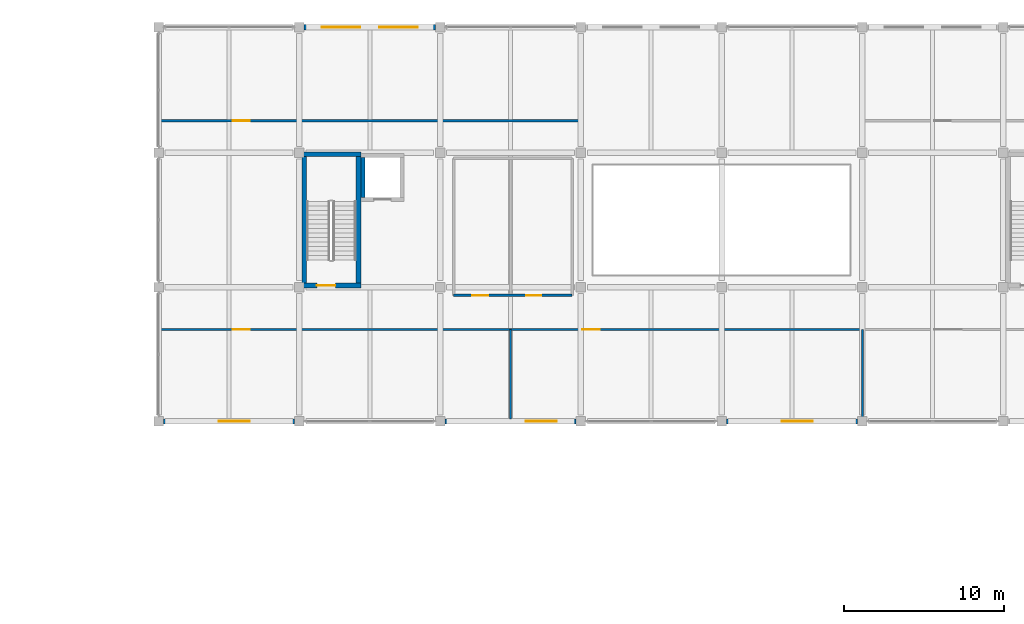
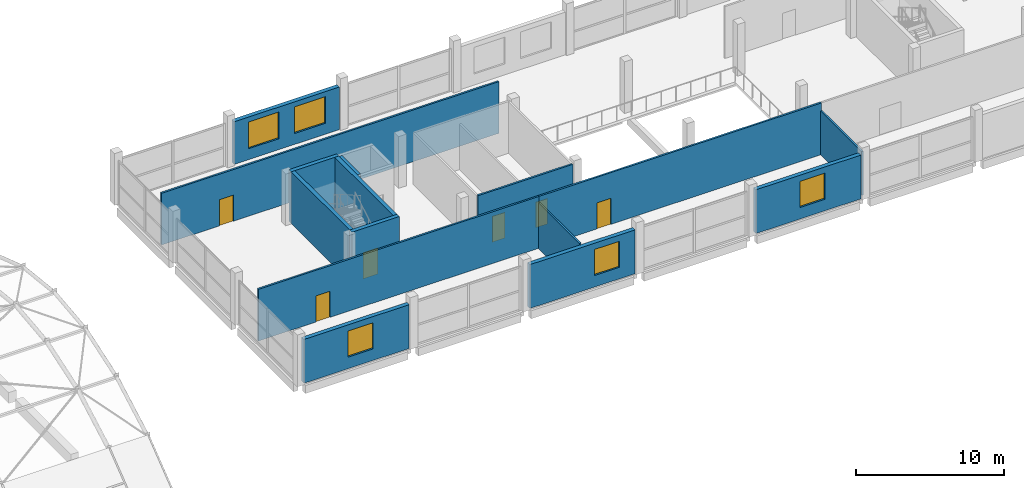
# One storey, part 29 of 38: 15 walls, 6 doors, 5 windows, 11 openings.
"""IFC4 building model written with IfcOpenShell, lengths in metres."""

from ifc_helpers import new_model, si_unit, direction, frame, frame_2d, origin, place, context, subcontext, project, spatial, rectangle, extrude, material, layer, layer_set, type_object, element, fill, save


model = new_model("IFC4")

# Units and contexts
model_context = context("Model", 3, precision=1e-05, world=origin(), true_north=direction((0.0, 1.0)))
body_context = subcontext(model_context, "Body", "Model", "MODEL_VIEW")
ifc_project = project(units=[si_unit("LENGTHUNIT", "METRE"), si_unit("AREAUNIT", "SQUARE_METRE"), si_unit("VOLUMEUNIT", "CUBIC_METRE"), si_unit("PLANEANGLEUNIT", "RADIAN"), si_unit("MASSUNIT", "GRAM", prefix="KILO")], contexts=[model_context])

# Site, building, storey
site_placement = place(None, origin())
site = spatial("IfcSite", under=ifc_project, at=site_placement, CompositionType="ELEMENT")
building_placement = place(site_placement, origin())
building = spatial("IfcBuilding", under=site, at=building_placement, Name="Brinegate Botanical Conservatory", CompositionType="ELEMENT")
storey_placement = place(building_placement, frame((0.0, 0.0, 10.199951171875)))
storey = spatial("IfcBuildingStorey", under=building, at=storey_placement, Name="L03", CompositionType="ELEMENT", Elevation=10.199951171875)

# Wall, opening, window
ifc_material_1 = material(Name="Insulated Minnan red clay brick masonry", Category="masonry")
ifc_layer_1 = layer(ifc_material_1, 0.320068359375, Name="Insulated Minnan red clay brick masonry", Category="masonry")
ifc_layer_set_1 = layer_set([ifc_layer_1], Name="Insulated Minnan red clay brick masonry")
wall_type_1 = type_object("IfcWallType", Name="Wall_EW-320B", PredefinedType="STANDARD", material=ifc_layer_set_1)
wall_1_placement = place(storey_placement, frame((59.300048828125, 86.800048828125, 0.0), z_axis=(0.0, 0.0, 1.0), x_axis=(-1.0, 0.0, 0.0)))
wall_1 = element("IfcWall", 1, at=wall_1_placement, inside=storey, type_object=wall_type_1, Name="Visitor south brick wall L03.1", PredefinedType="STANDARD", context=body_context, shape_type="SweptSolid", body=[
    extrude(rectangle(XDim=8.199951171875, YDim=0.320068359375, at=frame_2d((4.10009765625, 0.0))), origin(), (0.0, 0.0, 1.0), 3.610107421875),
])
opening_1_placement = place(wall_1_placement, frame((2.800048828125, 0.0, 0.949951171875)))
opening_1 = element("IfcOpeningElement", 2, at=opening_1_placement, cuts=wall_1, Name="Opening WN-29", PredefinedType="OPENING", context=body_context, shape_type="SweptSolid", body=[
    extrude(rectangle(XDim=1.949951171875, YDim=2.14990234375, at=frame_2d((0.97509765625, 1.074951171875))), frame((0.0, 0.169921875, 0.0), z_axis=(0.0, -1.0, 0.0), x_axis=(1.0, 0.0, 0.0)), (0.0, 0.0, 1.0), 0.340087890625),
])
ifc_material_2 = material(Name="Thermally broken aluminium-framed Low-E glass", Category="aluminium")
window_type_1 = type_object("IfcWindowType", Name="Win_WN-29", PartitioningType="DOUBLE_PANEL_VERTICAL", PredefinedType="WINDOW", material=ifc_material_2)
window_1_placement = place(opening_1_placement, origin())
window_1 = element("IfcWindow", 3, at=window_1_placement, inside=storey, type_object=window_type_1, Name="Visitor south court window L03.1", OverallHeight=2.14990234375, OverallWidth=1.949951171875, PartitioningType="DOUBLE_PANEL_VERTICAL", PredefinedType="WINDOW", context=body_context, shape_type="SweptSolid", body=[
    extrude(rectangle(XDim=1.949951171875, YDim=2.14990234375, at=frame_2d((0.97509765625, 1.074951171875))), frame((0.0, 0.030029296875, 0.0), z_axis=(0.0, -1.0, 0.0), x_axis=(1.0, 0.0, 0.0)), (0.0, 0.0, 1.0), 0.06005859375),
])
fill(opening_1, window_1)

# Wall, openings, windows
wall_2_placement = place(storey_placement, frame((59.89990234375, 111.449951171875, 0.0), z_axis=(0.0, 0.0, 1.0), x_axis=(1.0, 0.0, 0.0)))
wall_2 = element("IfcWall", 4, at=wall_2_placement, inside=storey, type_object=wall_type_1, Name="Visitor north brick bay wall L03.2", PredefinedType="STANDARD", context=body_context, shape_type="SweptSolid", body=[
    extrude(rectangle(XDim=8.2001953125, YDim=0.320068359375, at=frame_2d((4.10009765625, 0.0))), origin(), (0.0, 0.0, 1.0), 3.510009765625),
])
opening_2_placement = place(wall_2_placement, frame((1.10009765625, 0.0, 0.89990234375)))
opening_2 = element("IfcOpeningElement", 5, at=opening_2_placement, cuts=wall_2, Name="Opening WN-09", PredefinedType="OPENING", context=body_context, shape_type="SweptSolid", body=[
    extrude(rectangle(XDim=2.39990234375, YDim=2.199951171875, at=frame_2d((1.199951171875, 1.10009765625))), frame((0.0, 0.169921875, 0.0), z_axis=(0.0, -1.0, 0.0), x_axis=(1.0, 0.0, 0.0)), (0.0, 0.0, 1.0), 0.340087890625),
])
opening_3_placement = place(wall_2_placement, frame((4.699951171875, 0.0, 0.89990234375)))
opening_3 = element("IfcOpeningElement", 6, at=opening_3_placement, cuts=wall_2, Name="Opening WN-09", PredefinedType="OPENING", context=body_context, shape_type="SweptSolid", body=[
    extrude(rectangle(XDim=2.39990234375, YDim=2.199951171875, at=frame_2d((1.199951171875, 1.10009765625))), frame((0.0, 0.169921875, 0.0), z_axis=(0.0, -1.0, 0.0), x_axis=(1.0, 0.0, 0.0)), (0.0, 0.0, 1.0), 0.340087890625),
])
window_type_2 = type_object("IfcWindowType", Name="Win_WN-09", PartitioningType="TRIPLE_PANEL_VERTICAL", PredefinedType="WINDOW", material=ifc_material_2)
window_2_placement = place(opening_2_placement, origin())
window_2 = element("IfcWindow", 7, at=window_2_placement, inside=storey, type_object=window_type_2, Name="Visitor north window L03.2A", OverallHeight=2.199951171875, OverallWidth=2.39990234375, PartitioningType="TRIPLE_PANEL_VERTICAL", PredefinedType="WINDOW", context=body_context, shape_type="SweptSolid", body=[
    extrude(rectangle(XDim=2.39990234375, YDim=2.199951171875, at=frame_2d((1.199951171875, 1.10009765625))), frame((0.0, 0.030029296875, 0.0), z_axis=(0.0, -1.0, 0.0), x_axis=(1.0, 0.0, 0.0)), (0.0, 0.0, 1.0), 0.06005859375),
])
fill(opening_2, window_2)
window_3_placement = place(opening_3_placement, origin())
window_3 = element("IfcWindow", 8, at=window_3_placement, inside=storey, type_object=window_type_2, Name="Visitor north window L03.2B", OverallHeight=2.199951171875, OverallWidth=2.39990234375, PartitioningType="TRIPLE_PANEL_VERTICAL", PredefinedType="WINDOW", context=body_context, shape_type="SweptSolid", body=[
    extrude(rectangle(XDim=2.39990234375, YDim=2.199951171875, at=frame_2d((1.199951171875, 1.10009765625))), frame((0.0, 0.030029296875, 0.0), z_axis=(0.0, -1.0, 0.0), x_axis=(1.0, 0.0, 0.0)), (0.0, 0.0, 1.0), 0.06005859375),
])
fill(opening_3, window_3)

# Wall, opening, window
wall_3_placement = place(storey_placement, frame((76.89990234375, 86.800048828125, 0.0), z_axis=(0.0, 0.0, 1.0), x_axis=(-1.0, 0.0, 0.0)))
wall_3 = element("IfcWall", 9, at=wall_3_placement, inside=storey, type_object=wall_type_1, Name="Visitor south brick wall L03.3", PredefinedType="STANDARD", context=body_context, shape_type="SweptSolid", body=[
    extrude(rectangle(XDim=8.199951171875, YDim=0.320068359375, at=frame_2d((4.10009765625, 0.0))), origin(), (0.0, 0.0, 1.0), 3.610107421875),
])
opening_4_placement = place(wall_3_placement, frame((1.199951171875, 0.0, 0.949951171875)))
opening_4 = element("IfcOpeningElement", 10, at=opening_4_placement, cuts=wall_3, Name="Opening WN-29", PredefinedType="OPENING", context=body_context, shape_type="SweptSolid", body=[
    extrude(rectangle(XDim=1.949951171875, YDim=2.14990234375, at=frame_2d((0.97509765625, 1.074951171875))), frame((0.0, 0.169921875, 0.0), z_axis=(0.0, -1.0, 0.0), x_axis=(1.0, 0.0, 0.0)), (0.0, 0.0, 1.0), 0.340087890625),
])
window_4_placement = place(opening_4_placement, origin())
window_4 = element("IfcWindow", 11, at=window_4_placement, inside=storey, type_object=window_type_1, Name="Visitor south court window L03.3", OverallHeight=2.14990234375, OverallWidth=1.949951171875, PartitioningType="DOUBLE_PANEL_VERTICAL", PredefinedType="WINDOW", context=body_context, shape_type="SweptSolid", body=[
    extrude(rectangle(XDim=1.949951171875, YDim=2.14990234375, at=frame_2d((0.97509765625, 1.074951171875))), frame((0.0, 0.030029296875, 0.0), z_axis=(0.0, -1.0, 0.0), x_axis=(1.0, 0.0, 0.0)), (0.0, 0.0, 1.0), 0.06005859375),
])
fill(opening_4, window_4)

wall_4_placement = place(storey_placement, frame((94.5, 86.800048828125, 0.0), z_axis=(0.0, 0.0, 1.0), x_axis=(-1.0, 0.0, 0.0)))
wall_4 = element("IfcWall", 12, at=wall_4_placement, inside=storey, type_object=wall_type_1, Name="Visitor south brick wall L03.5", PredefinedType="STANDARD", context=body_context, shape_type="SweptSolid", body=[
    extrude(rectangle(XDim=8.199951171875, YDim=0.320068359375, at=frame_2d((4.10009765625, 0.0))), origin(), (0.0, 0.0, 1.0), 3.610107421875),
])
opening_5_placement = place(wall_4_placement, frame((2.800048828125, 0.0, 0.949951171875)))
opening_5 = element("IfcOpeningElement", 13, at=opening_5_placement, cuts=wall_4, Name="Opening WN-29", PredefinedType="OPENING", context=body_context, shape_type="SweptSolid", body=[
    extrude(rectangle(XDim=1.949951171875, YDim=2.14990234375, at=frame_2d((0.97509765625, 1.074951171875))), frame((0.0, 0.169921875, 0.0), z_axis=(0.0, -1.0, 0.0), x_axis=(1.0, 0.0, 0.0)), (0.0, 0.0, 1.0), 0.340087890625),
])
window_5_placement = place(opening_5_placement, origin())
window_5 = element("IfcWindow", 14, at=window_5_placement, inside=storey, type_object=window_type_1, Name="Visitor south court window L03.5", OverallHeight=2.14990234375, OverallWidth=1.949951171875, PartitioningType="DOUBLE_PANEL_VERTICAL", PredefinedType="WINDOW", context=body_context, shape_type="SweptSolid", body=[
    extrude(rectangle(XDim=1.949951171875, YDim=2.14990234375, at=frame_2d((0.97509765625, 1.074951171875))), frame((0.0, 0.030029296875, 0.0), z_axis=(0.0, -1.0, 0.0), x_axis=(1.0, 0.0, 0.0)), (0.0, 0.0, 1.0), 0.06005859375),
])
fill(opening_5, window_5)

# Walls
ifc_material_3 = material(Name="Gypsum-clad steel-stud partition", Category="steel")
ifc_layer_2 = layer(ifc_material_3, 0.135009765625, Name="Gypsum-clad steel-stud partition", Category="steel")
ifc_layer_set_2 = layer_set([ifc_layer_2], Name="Gypsum-clad steel-stud partition")
wall_type_2 = type_object("IfcWallType", Name="Wall_PW-135", PredefinedType="PARTITIONING", material=ifc_layer_set_2)
wall_5_placement = place(storey_placement, frame((72.800048828125, 86.949951171875, 0.0), z_axis=(0.0, 0.0, 1.0), x_axis=(0.0, 1.0, 0.0)))
element("IfcWall", 15, at=wall_5_placement, inside=storey, type_object=wall_type_2, Name="Interior partition P-L03-VSD-V3-CLS2", PredefinedType="PARTITIONING", context=body_context, shape_type="SweptSolid", body=[
    extrude(rectangle(XDim=5.60009765625, YDim=0.135009765625, at=frame_2d((2.800048828125, 0.0))), origin(), (0.0, 0.0, 1.0), 3.760009765625),
])
wall_6_placement = place(storey_placement, frame((94.800048828125, 86.949951171875, 0.0), z_axis=(0.0, 0.0, 1.0), x_axis=(0.0, 1.0, 0.0)))
element("IfcWall", 16, at=wall_6_placement, inside=storey, type_object=wall_type_2, Name="Interior partition P-L03-VSD-V3-CLS3", PredefinedType="PARTITIONING", context=body_context, shape_type="SweptSolid", body=[
    extrude(rectangle(XDim=5.60009765625, YDim=0.135009765625, at=frame_2d((2.800048828125, 0.0))), origin(), (0.0, 0.0, 1.0), 3.610107421875),
])

# Wall, opening, door
ifc_material_4 = material(Name="Gypsum-clad acoustic steel-stud partition", Category="steel")
ifc_layer_3 = layer(ifc_material_4, 0.14501953125, Name="Gypsum-clad acoustic steel-stud partition", Category="steel")
ifc_layer_set_3 = layer_set([ifc_layer_3], Name="Gypsum-clad acoustic steel-stud partition")
wall_type_3 = type_object("IfcWallType", Name="Wall_PW-150", PredefinedType="PARTITIONING", material=ifc_layer_set_3)
wall_7_placement = place(storey_placement, frame((50.919921875, 92.550048828125, 0.0), z_axis=(0.0, 0.0, 1.0), x_axis=(1.0, 0.0, 0.0)))
wall_7 = element("IfcWall", 17, at=wall_7_placement, inside=storey, type_object=wall_type_3, Name="Interior partition P-L03-V3-CLS1", PredefinedType="PARTITIONING", context=body_context, shape_type="SweptSolid", body=[
    extrude(rectangle(XDim=21.880126953125, YDim=0.14501953125, at=frame_2d((10.93994140625, 0.0))), origin(), (0.0, 0.0, 1.0), 4.260009765625),
])
opening_6_placement = place(wall_7_placement, frame((4.5, 0.0, 0.0)))
opening_6 = element("IfcOpeningElement", 18, at=opening_6_placement, cuts=wall_7, Name="Opening DR-01", PredefinedType="OPENING", context=body_context, shape_type="SweptSolid", body=[
    extrude(rectangle(XDim=1.080078125, YDim=2.14990234375, at=frame_2d((0.5400390625, 1.074951171875))), frame((0.0, 0.08251953125, 0.0), z_axis=(0.0, -1.0, 0.0), x_axis=(1.0, 0.0, 0.0)), (0.0, 0.0, 1.0), 0.1650390625),
])
ifc_material_5 = material(Name="Hardwood timber acoustic leaf", Category="wood")
door_type_1 = type_object("IfcDoorType", Name="Door_DR-01", OperationType="NOTDEFINED", PredefinedType="DOOR", material=ifc_material_5)
door_1_placement = place(opening_6_placement, origin())
door_1 = element("IfcDoor", 19, at=door_1_placement, inside=storey, type_object=door_type_1, Name="DR-P-L03-V3-CLS1-1", OperationType="SINGLE_SWING_LEFT", OverallHeight=2.14990234375, OverallWidth=1.080078125, PredefinedType="DOOR", context=body_context, shape_type="SweptSolid", body=[
    extrude(rectangle(XDim=1.080078125, YDim=2.14990234375, at=frame_2d((0.5400390625, 1.074951171875))), frame((0.0, 0.02490234375, 0.0), z_axis=(0.0, -1.0, 0.0), x_axis=(1.0, 0.0, 0.0)), (0.0, 0.0, 1.0), 0.050048828125),
])
fill(opening_6, door_1)

wall_8_placement = place(storey_placement, frame((72.800048828125, 92.550048828125, 0.0), z_axis=(0.0, 0.0, 1.0), x_axis=(1.0, 0.0, 0.0)))
wall_8 = element("IfcWall", 20, at=wall_8_placement, inside=storey, type_object=wall_type_3, Name="Interior partition P-L03-V3-CLS2", PredefinedType="PARTITIONING", context=body_context, shape_type="SweptSolid", body=[
    extrude(rectangle(XDim=22.0, YDim=0.14501953125, at=frame_2d((11.0, 0.0))), origin(), (0.0, 0.0, 1.0), 4.260009765625),
])
opening_7_placement = place(wall_8_placement, frame((4.5, 0.0, 0.0)))
opening_7 = element("IfcOpeningElement", 21, at=opening_7_placement, cuts=wall_8, Name="Opening DR-01", PredefinedType="OPENING", context=body_context, shape_type="SweptSolid", body=[
    extrude(rectangle(XDim=1.080078125, YDim=2.14990234375, at=frame_2d((0.5400390625, 1.074951171875))), frame((0.0, 0.08251953125, 0.0), z_axis=(0.0, -1.0, 0.0), x_axis=(1.0, 0.0, 0.0)), (0.0, 0.0, 1.0), 0.1650390625),
])
door_2_placement = place(opening_7_placement, origin())
door_2 = element("IfcDoor", 22, at=door_2_placement, inside=storey, type_object=door_type_1, Name="DR-P-L03-V3-CLS2-1", OperationType="SINGLE_SWING_LEFT", OverallHeight=2.14990234375, OverallWidth=1.080078125, PredefinedType="DOOR", context=body_context, shape_type="SweptSolid", body=[
    extrude(rectangle(XDim=1.080078125, YDim=2.14990234375, at=frame_2d((0.5400390625, 1.074951171875))), frame((0.0, 0.02490234375, 0.0), z_axis=(0.0, -1.0, 0.0), x_axis=(1.0, 0.0, 0.0)), (0.0, 0.0, 1.0), 0.050048828125),
])
fill(opening_7, door_2)

wall_9_placement = place(storey_placement, frame((50.919921875, 105.60009765625, 0.0), z_axis=(0.0, 0.0, 1.0), x_axis=(1.0, 0.0, 0.0)))
wall_9 = element("IfcWall", 23, at=wall_9_placement, inside=storey, type_object=wall_type_3, Name="Interior partition P-L03-V3-CLS4", PredefinedType="PARTITIONING", context=body_context, shape_type="SweptSolid", body=[
    extrude(rectangle(XDim=26.280029296875, YDim=0.14501953125, at=frame_2d((13.14013671875, 0.0))), origin(), (0.0, 0.0, 1.0), 4.260009765625),
])
opening_8_placement = place(wall_9_placement, frame((4.5, 0.0, 0.0)))
opening_8 = element("IfcOpeningElement", 24, at=opening_8_placement, cuts=wall_9, Name="Opening DR-01", PredefinedType="OPENING", context=body_context, shape_type="SweptSolid", body=[
    extrude(rectangle(XDim=1.080078125, YDim=2.14990234375, at=frame_2d((0.5400390625, 1.074951171875))), frame((0.0, 0.08251953125, 0.0), z_axis=(0.0, -1.0, 0.0), x_axis=(1.0, 0.0, 0.0)), (0.0, 0.0, 1.0), 0.1650390625),
])
door_3_placement = place(opening_8_placement, origin())
door_3 = element("IfcDoor", 25, at=door_3_placement, inside=storey, type_object=door_type_1, Name="DR-P-L03-V3-CLS4-1", OperationType="SINGLE_SWING_RIGHT", OverallHeight=2.14990234375, OverallWidth=1.080078125, PredefinedType="DOOR", context=body_context, shape_type="SweptSolid", body=[
    extrude(rectangle(XDim=1.080078125, YDim=2.14990234375, at=frame_2d((0.5400390625, 1.074951171875))), frame((0.0, 0.02490234375, 0.0), z_axis=(0.0, -1.0, 0.0), x_axis=(1.0, 0.0, 0.0)), (0.0, 0.0, 1.0), 0.050048828125),
])
fill(opening_8, door_3)

# Wall, openings, doors
ifc_material_6 = material(Name="Moisture-resistant cement-board partition", Category="gypsum")
ifc_layer_4 = layer(ifc_material_6, 0.14990234375, Name="Moisture-resistant cement-board partition", Category="gypsum")
ifc_layer_set_4 = layer_set([ifc_layer_4], Name="Moisture-resistant cement-board partition")
wall_type_4 = type_object("IfcWallType", Name="Wall_PW-150W", PredefinedType="PARTITIONING", material=ifc_layer_set_4)
wall_10_placement = place(storey_placement, frame((69.25, 94.679931640625, 0.0), z_axis=(0.0, 0.0, 1.0), x_axis=(1.0, 0.0, 0.0)))
wall_10 = element("IfcWall", 26, at=wall_10_placement, inside=storey, type_object=wall_type_4, Name="Interior partition P-L03-V3-WCS", PredefinedType="PARTITIONING", context=body_context, shape_type="SweptSolid", body=[
    extrude(rectangle(XDim=7.39990234375, YDim=0.14990234375, at=frame_2d((3.699951171875, 0.0))), origin(), (0.0, 0.0, 1.0), 4.260009765625),
])
opening_9_placement = place(wall_10_placement, frame((1.14990234375, 0.0, 0.0)))
opening_9 = element("IfcOpeningElement", 27, at=opening_9_placement, cuts=wall_10, Name="Opening DR-ACC", PredefinedType="OPENING", context=body_context, shape_type="SweptSolid", body=[
    extrude(rectangle(XDim=1.0, YDim=2.1201171875, at=frame_2d((0.5, 1.06005859375))), frame((0.0, 0.0849609375, 0.0), z_axis=(0.0, -1.0, 0.0), x_axis=(1.0, 0.0, 0.0)), (0.0, 0.0, 1.0), 0.169921875),
])
opening_10_placement = place(wall_10_placement, frame((4.550048828125, 0.0, 0.0)))
opening_10 = element("IfcOpeningElement", 28, at=opening_10_placement, cuts=wall_10, Name="Opening DR-04", PredefinedType="OPENING", context=body_context, shape_type="SweptSolid", body=[
    extrude(rectangle(XDim=0.919921875, YDim=2.10009765625, at=frame_2d((0.4599609375, 1.050048828125))), frame((0.0, 0.0849609375, 0.0), z_axis=(0.0, -1.0, 0.0), x_axis=(1.0, 0.0, 0.0)), (0.0, 0.0, 1.0), 0.169921875),
])
ifc_material_7 = material(Name="Moisture-resistant laminate timber leaf", Category="wood")
door_type_2 = type_object("IfcDoorType", Name="Door_DR-04", OperationType="NOTDEFINED", PredefinedType="DOOR", material=ifc_material_7)
door_4_placement = place(opening_10_placement, origin())
door_4 = element("IfcDoor", 29, at=door_4_placement, inside=storey, type_object=door_type_2, Name="DR-P-L03-V3-WCS-2", OperationType="SINGLE_SWING_LEFT", OverallHeight=2.10009765625, OverallWidth=0.919921875, PredefinedType="DOOR", context=body_context, shape_type="SweptSolid", body=[
    extrude(rectangle(XDim=0.919921875, YDim=2.10009765625, at=frame_2d((0.4599609375, 1.050048828125))), frame((0.0, 0.02490234375, 0.0), z_axis=(0.0, -1.0, 0.0), x_axis=(1.0, 0.0, 0.0)), (0.0, 0.0, 1.0), 0.050048828125),
])
fill(opening_10, door_4)
ifc_material_8 = material(Name="Moisture-resistant barrier-free timber leaf", Category="wood")
door_type_3 = type_object("IfcDoorType", Name="Door_DR-ACC", OperationType="NOTDEFINED", PredefinedType="DOOR", material=ifc_material_8)
door_5_placement = place(opening_9_placement, origin())
door_5 = element("IfcDoor", 30, at=door_5_placement, inside=storey, type_object=door_type_3, Name="DR-P-L03-V3-WCS-1", OperationType="SINGLE_SWING_RIGHT", OverallHeight=2.1201171875, OverallWidth=1.0, PredefinedType="DOOR", context=body_context, shape_type="SweptSolid", body=[
    extrude(rectangle(XDim=1.0, YDim=2.1201171875, at=frame_2d((0.5, 1.06005859375))), frame((0.0, 0.02490234375, 0.0), z_axis=(0.0, -1.0, 0.0), x_axis=(1.0, 0.0, 0.0)), (0.0, 0.0, 1.0), 0.050048828125),
])
fill(opening_9, door_5)

# Wall
ifc_material_9 = material(Name="Concrete C40/50", Category="concrete")
ifc_layer_5 = layer(ifc_material_9, 0.25, Name="Concrete C40/50", Category="concrete")
ifc_layer_set_5 = layer_set([ifc_layer_5], Name="Concrete C40/50")
wall_type_5 = type_object("IfcWallType", Name="Wall_SW-250", PredefinedType="SHEAR", material=ifc_layer_set_5)
wall_11_placement = place(storey_placement, frame((63.574951171875, 100.800048828125, 0.0), z_axis=(0.0, 0.0, 1.0), x_axis=(0.0, 1.0, 0.0)))
element("IfcWall", 31, at=wall_11_placement, inside=storey, type_object=wall_type_5, Name="Lift shaft LF5 shear wall L03 W", PredefinedType="SHEAR", context=body_context, shape_type="SweptSolid", body=[
    extrude(rectangle(XDim=2.5, YDim=0.25, at=frame_2d((1.25, 0.0))), origin(), (0.0, 0.0, 1.0), 4.260009765625),
])

# Wall, opening, door
ifc_layer_6 = layer(ifc_material_9, 0.300048828125, Name="Concrete C40/50", Category="concrete")
ifc_layer_set_6 = layer_set([ifc_layer_6], Name="Concrete C40/50")
wall_type_6 = type_object("IfcWallType", Name="Wall_SW-300", PredefinedType="SHEAR", material=ifc_layer_set_6)
wall_12_placement = place(storey_placement, frame((59.75, 95.300048828125, 0.0), z_axis=(0.0, 0.0, 1.0), x_axis=(1.0, 0.0, 0.0)))
wall_12 = element("IfcWall", 32, at=wall_12_placement, inside=storey, type_object=wall_type_6, Name="Stairwell ST3 shear wall L03 S", PredefinedType="SHEAR", context=body_context, shape_type="SweptSolid", body=[
    extrude(rectangle(XDim=3.699951171875, YDim=0.300048828125, at=frame_2d((1.85009765625, 0.0))), origin(), (0.0, 0.0, 1.0), 4.260009765625),
])
opening_11_placement = place(wall_12_placement, frame((0.949951171875, 0.0, 0.0)))
opening_11 = element("IfcOpeningElement", 33, at=opening_11_placement, cuts=wall_12, Name="Opening FD-B3", PredefinedType="OPENING", context=body_context, shape_type="SweptSolid", body=[
    extrude(rectangle(XDim=1.14990234375, YDim=2.14990234375, at=frame_2d((0.574951171875, 1.074951171875))), frame((0.0, 0.159912109375, 0.0), z_axis=(0.0, -1.0, 0.0), x_axis=(1.0, 0.0, 0.0)), (0.0, 0.0, 1.0), 0.320068359375),
])
ifc_material_10 = material(Name="Steel stairwell fire door", Category="steel")
door_type_4 = type_object("IfcDoorType", Name="Door_FD-B3", OperationType="NOTDEFINED", PredefinedType="DOOR", material=ifc_material_10)
door_6_placement = place(opening_11_placement, origin())
door_6 = element("IfcDoor", 34, at=door_6_placement, inside=storey, type_object=door_type_4, Name="DR-ST-ST3-L03", OperationType="SINGLE_SWING_LEFT", OverallHeight=2.14990234375, OverallWidth=1.14990234375, PredefinedType="DOOR", context=body_context, shape_type="SweptSolid", body=[
    extrude(rectangle(XDim=1.14990234375, YDim=2.14990234375, at=frame_2d((0.574951171875, 1.074951171875))), frame((0.0, 0.02490234375, 0.0), z_axis=(0.0, -1.0, 0.0), x_axis=(1.0, 0.0, 0.0)), (0.0, 0.0, 1.0), 0.050048828125),
])
fill(opening_11, door_6)

# Walls
wall_13_placement = place(storey_placement, frame((59.75, 103.5, 0.0), z_axis=(0.0, 0.0, 1.0), x_axis=(1.0, 0.0, 0.0)))
element("IfcWall", 35, at=wall_13_placement, inside=storey, type_object=wall_type_6, Name="Stairwell ST3 shear wall L03 N", PredefinedType="SHEAR", context=body_context, shape_type="SweptSolid", body=[
    extrude(rectangle(XDim=3.699951171875, YDim=0.300048828125, at=frame_2d((1.85009765625, 0.0))), origin(), (0.0, 0.0, 1.0), 4.260009765625),
])
for number, where, z_axis, x_axis, name in (
    (36, (59.89990234375, 95.449951171875, 0.0), (0.0, 0.0, 1.0), (0.0, 1.0, 0.0), "Stairwell ST3 shear wall L03 W"),
    (37, (63.300048828125, 95.449951171875, 0.0), (0.0, 0.0, 1.0), (0.0, 1.0, 0.0), "Stairwell ST3 shear wall L03 E"),
):
    element("IfcWall", number, at=place(storey_placement, frame(where, z_axis=z_axis, x_axis=x_axis)), inside=storey, type_object=wall_type_6, Name=name, PredefinedType="SHEAR", context=body_context, shape_type="SweptSolid", body=[
        extrude(rectangle(XDim=7.900146484375, YDim=0.300048828125, at=frame_2d((3.9501953125, 0.0))), origin(), (0.0, 0.0, 1.0), 4.260009765625),
    ])

save(model, "model.ifc")
